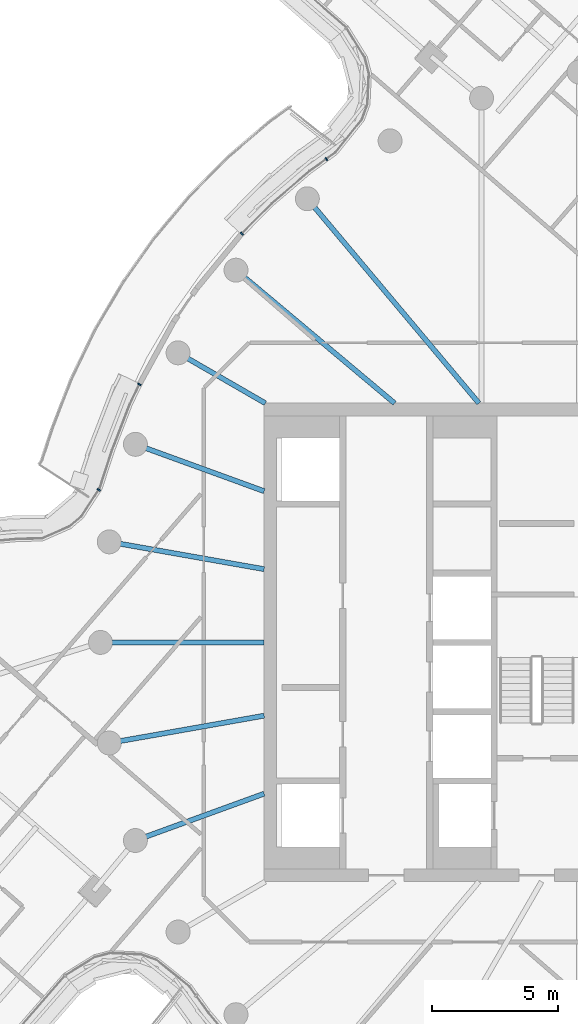
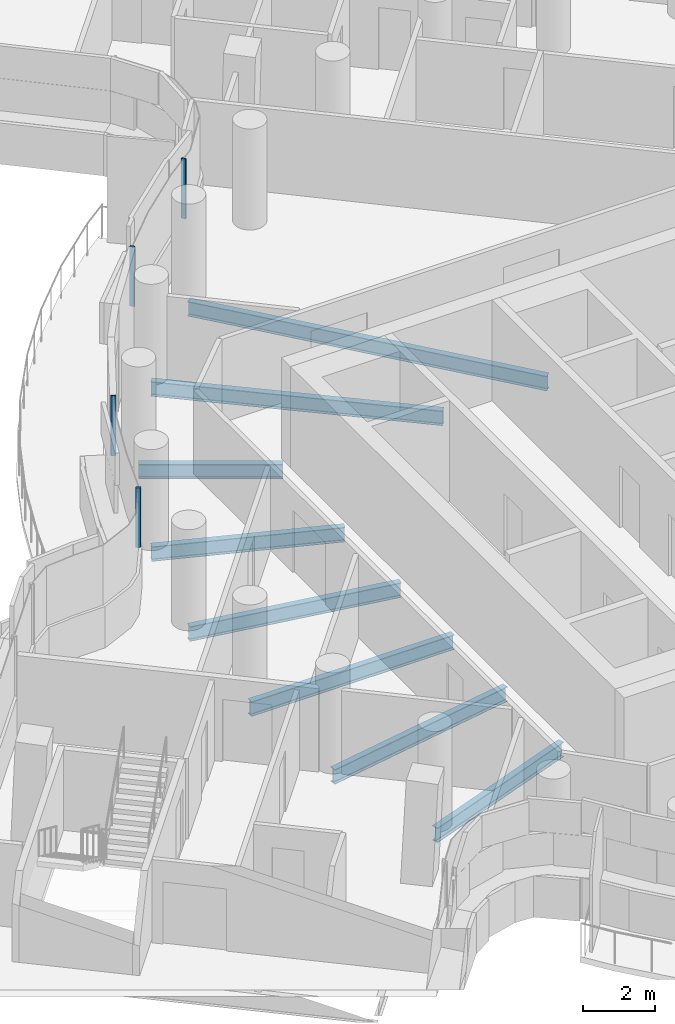
# One storey, part 10 of 32: 8 beams, 4 members, 1 element without a shape of its own.
"""IFC4 building model written with IfcOpenShell, lengths in metres."""

from ifc_helpers import new_model, si_unit, direction, frame, origin, origin_2d, place, context, subcontext, project, spatial, rectangle, i_section, extrude, material, layer, layer_set, material_profile, profile_set, type_object, element, aggregate, save


model = new_model("IFC4")

# Units and contexts
model_context = context("Model", 3, precision=1e-05, world=origin(), true_north=direction((0.0, 1.0)))
body_context = subcontext(model_context, "Body", "Model", "MODEL_VIEW")
ifc_project = project(units=[si_unit("LENGTHUNIT", "METRE"), si_unit("AREAUNIT", "SQUARE_METRE"), si_unit("VOLUMEUNIT", "CUBIC_METRE"), si_unit("PLANEANGLEUNIT", "RADIAN"), si_unit("MASSUNIT", "GRAM", prefix="KILO")], contexts=[model_context])

# Site, building, storey
site_placement = place(None, origin())
site = spatial("IfcSite", under=ifc_project, at=site_placement, CompositionType="ELEMENT")
building_placement = place(site_placement, origin())
building = spatial("IfcBuilding", under=site, at=building_placement, Name="Tamarind Cross Interchange Tower", CompositionType="ELEMENT")
storey_placement = place(building_placement, frame((0.0, 0.0, 211.300048828125)))
storey = spatial("IfcBuildingStorey", under=building, at=storey_placement, Name="L53", CompositionType="ELEMENT", Elevation=211.300048828125)

# Beams
ifc_material_1 = material(Name="Steel Q355B", Category="steel")
ifc_material_profile_1 = material_profile(ifc_material_1, i_section(OverallWidth=0.198974609375, OverallDepth=0.49609375, WebThickness=0.009033203125, FlangeThickness=0.013916015625, FilletRadius=0.012939453125, at=origin_2d()), Name="HN 496x199x9x14")
ifc_profile_set_1 = profile_set([ifc_material_profile_1], Name="Steel Q355B")
beam_type = type_object("IfcBeamType", Name="Composite beam HN 496x199x9x14 Q355B", PredefinedType="BEAM", material=ifc_profile_set_1)
beam_1_placement = place(storey_placement, frame((-14.7841796875, 17.619140625, -0.387939453125), z_axis=(0.642786293979, -0.766045547127, 0.0), x_axis=(0.766045547127, 0.642786293979, 0.0)))
element("IfcBeam", 1, at=beam_1_placement, inside=storey, type_object=beam_type, Name="Beam HH13", PredefinedType="BEAM", context=body_context, shape_type="SweptSolid", body=[
    extrude(i_section(OverallWidth=0.198974609375, OverallDepth=0.49609375, WebThickness=0.009033203125, FlangeThickness=0.013916015625, FilletRadius=0.012939453125, at=origin_2d()), origin(), (0.0, 0.0, 1.0), 10.598876953125),
])
beam_2_placement = place(storey_placement, frame((-17.619140625, 14.7841796875, -0.387939453125), z_axis=(0.766040580814, -0.642792212574, 0.0), x_axis=(0.642792212574, 0.766040580814, 0.0)))
element("IfcBeam", 2, at=beam_2_placement, inside=storey, type_object=beam_type, Name="Beam HH14", PredefinedType="BEAM", context=body_context, shape_type="SweptSolid", body=[
    extrude(i_section(OverallWidth=0.198974609375, OverallDepth=0.49609375, WebThickness=0.009033203125, FlangeThickness=0.013916015625, FilletRadius=0.012939453125, at=origin_2d()), origin(), (0.0, 0.0, 1.0), 8.220703125),
])
beam_3_placement = place(storey_placement, frame((-19.918701171875, 11.5, -0.387939453125), z_axis=(0.866026010844, -0.49999894854, 0.0), x_axis=(0.49999894854, 0.866026010844, 0.0)))
element("IfcBeam", 3, at=beam_3_placement, inside=storey, type_object=beam_type, Name="Beam HH15", PredefinedType="BEAM", context=body_context, shape_type="SweptSolid", body=[
    extrude(i_section(OverallWidth=0.198974609375, OverallDepth=0.49609375, WebThickness=0.009033203125, FlangeThickness=0.013916015625, FilletRadius=0.012939453125, at=origin_2d()), origin(), (0.0, 0.0, 1.0), 4.0),
])
beam_4_placement = place(storey_placement, frame((-21.613037109375, 7.866455078125, -0.387939453125), z_axis=(0.939701685589, -0.341995236956, 0.0), x_axis=(0.341995236956, 0.939701685589, 0.0)))
element("IfcBeam", 4, at=beam_4_placement, inside=storey, type_object=beam_type, Name="Beam HH16", PredefinedType="BEAM", context=body_context, shape_type="SweptSolid", body=[
    extrude(i_section(OverallWidth=0.198974609375, OverallDepth=0.49609375, WebThickness=0.009033203125, FlangeThickness=0.013916015625, FilletRadius=0.012939453125, at=origin_2d()), origin(), (0.0, 0.0, 1.0), 5.441162109375),
])
beam_5_placement = place(storey_placement, frame((-22.650634765625, 3.993896484375, -0.387939453125), z_axis=(0.984809127561, -0.173640382036, 0.0), x_axis=(0.173640382036, 0.984809127561, 0.0)))
element("IfcBeam", 5, at=beam_5_placement, inside=storey, type_object=beam_type, Name="Beam HH17", PredefinedType="BEAM", context=body_context, shape_type="SweptSolid", body=[
    extrude(i_section(OverallWidth=0.198974609375, OverallDepth=0.49609375, WebThickness=0.009033203125, FlangeThickness=0.013916015625, FilletRadius=0.012939453125, at=origin_2d()), origin(), (0.0, 0.0, 1.0), 6.24560546875),
])
beam_6_placement = place(storey_placement, frame((-23.0, 0.0, -0.387939453125), z_axis=(1.0, 0.0, 0.0), x_axis=(0.0, 1.0, 0.0)))
element("IfcBeam", 6, at=beam_6_placement, inside=storey, type_object=beam_type, Name="Beam HH18", PredefinedType="BEAM", context=body_context, shape_type="SweptSolid", body=[
    extrude(i_section(OverallWidth=0.198974609375, OverallDepth=0.49609375, WebThickness=0.009033203125, FlangeThickness=0.013916015625, FilletRadius=0.012939453125, at=origin_2d()), origin(), (0.0, 0.0, 1.0), 6.5),
])
beam_7_placement = place(storey_placement, frame((-22.650634765625, -3.993896484375, -0.387939453125), z_axis=(0.984809127561, 0.173640382036, 0.0), x_axis=(-0.173640382036, 0.984809127561, 0.0)))
element("IfcBeam", 7, at=beam_7_placement, inside=storey, type_object=beam_type, Name="Beam HH19", PredefinedType="BEAM", context=body_context, shape_type="SweptSolid", body=[
    extrude(i_section(OverallWidth=0.198974609375, OverallDepth=0.49609375, WebThickness=0.009033203125, FlangeThickness=0.013916015625, FilletRadius=0.012939453125, at=origin_2d()), origin(), (0.0, 0.0, 1.0), 6.24560546875),
])
beam_8_placement = place(storey_placement, frame((-21.613037109375, -7.866455078125, -0.387939453125), z_axis=(0.939701685589, 0.341995236956, 0.0), x_axis=(-0.341995236956, 0.939701685589, 0.0)))
element("IfcBeam", 8, at=beam_8_placement, inside=storey, type_object=beam_type, Name="Beam HH20", PredefinedType="BEAM", context=body_context, shape_type="SweptSolid", body=[
    extrude(i_section(OverallWidth=0.198974609375, OverallDepth=0.49609375, WebThickness=0.009033203125, FlangeThickness=0.013916015625, FilletRadius=0.012939453125, at=origin_2d()), origin(), (0.0, 0.0, 1.0), 5.441162109375),
])

# Curtain wall, members
ifc_material_2 = material(Name="Aluminium 6063-T6", Category="aluminium")
ifc_layer = layer(ifc_material_2, 0.139892578125)
ifc_layer_set = layer_set([ifc_layer], Name="Aluminium 6063-T6")
curtain_wall_type = type_object("IfcCurtainWallType", Name="Hotel curtain wall, 4.5 m bays", PredefinedType="NOTDEFINED", material=ifc_layer_set)
curtain_wall_placement = place(storey_placement, origin())
curtain_wall = element("IfcCurtainWall", 9, at=curtain_wall_placement, inside=storey, type_object=curtain_wall_type, Name="CWS-L53-10", PredefinedType="NOTDEFINED")
ifc_material_profile_2 = material_profile(ifc_material_2, rectangle(XDim=0.06005859375, YDim=0.139892578125, at=origin_2d()), Name="Mullion CW2")
ifc_profile_set_2 = profile_set([ifc_material_profile_2], Name="Aluminium 6063-T6")
member_type = type_object("IfcMemberType", Name="Mullion CW2", PredefinedType="MULLION", material=ifc_profile_set_2)
member_1_placement = place(storey_placement, frame((-14.030517578125, 19.197509765625, 1.39990234375), z_axis=(0.0, 0.0, 1.0), x_axis=(-0.809855833413, -0.586628953503, 0.0)))
member_1 = element("IfcMember", 10, at=member_1_placement, type_object=member_type, Name="CWM-L53-10-01", PredefinedType="MULLION", context=body_context, shape_type="SweptSolid", body=[
    extrude(rectangle(XDim=0.06005859375, YDim=0.139892578125, at=origin_2d()), origin(), (0.0, 0.0, 1.0), 2.02001953125),
])
member_2_placement = place(storey_placement, frame((-17.38671875, 16.232177734375, 1.39990234375), z_axis=(0.0, 0.0, 1.0), x_axis=(-0.704057148523, -0.710143317658, 0.0)))
member_2 = element("IfcMember", 11, at=member_2_placement, type_object=member_type, Name="CWM-L53-10-02", PredefinedType="MULLION", context=body_context, shape_type="SweptSolid", body=[
    extrude(rectangle(XDim=0.06005859375, YDim=0.139892578125, at=origin_2d()), origin(), (0.0, 0.0, 1.0), 2.02001953125),
])
member_3_placement = place(storey_placement, frame((-21.45361328125, 10.248291015625, 1.39990234375), z_axis=(0.0, 0.0, 1.0), x_axis=(-0.435326231914, -0.900272776334, 0.0)))
member_3 = element("IfcMember", 12, at=member_3_placement, type_object=member_type, Name="CWM-L53-10-03", PredefinedType="MULLION", context=body_context, shape_type="SweptSolid", body=[
    extrude(rectangle(XDim=0.06005859375, YDim=0.139892578125, at=origin_2d()), origin(), (0.0, 0.0, 1.0), 2.02001953125),
])
member_4_placement = place(storey_placement, frame((-23.071044921875, 6.060546875, 1.39990234375), z_axis=(0.0, 0.0, 1.0), x_axis=(-0.546562771719, -0.837418137235, 0.0)))
member_4 = element("IfcMember", 13, at=member_4_placement, type_object=member_type, Name="CWM-L53-10-04", PredefinedType="MULLION", context=body_context, shape_type="SweptSolid", body=[
    extrude(rectangle(XDim=0.06005859375, YDim=0.139892578125, at=origin_2d()), origin(), (0.0, 0.0, 1.0), 2.02001953125),
])
aggregate(curtain_wall, [member_1, member_2, member_3, member_4])

save(model, "model.ifc")
